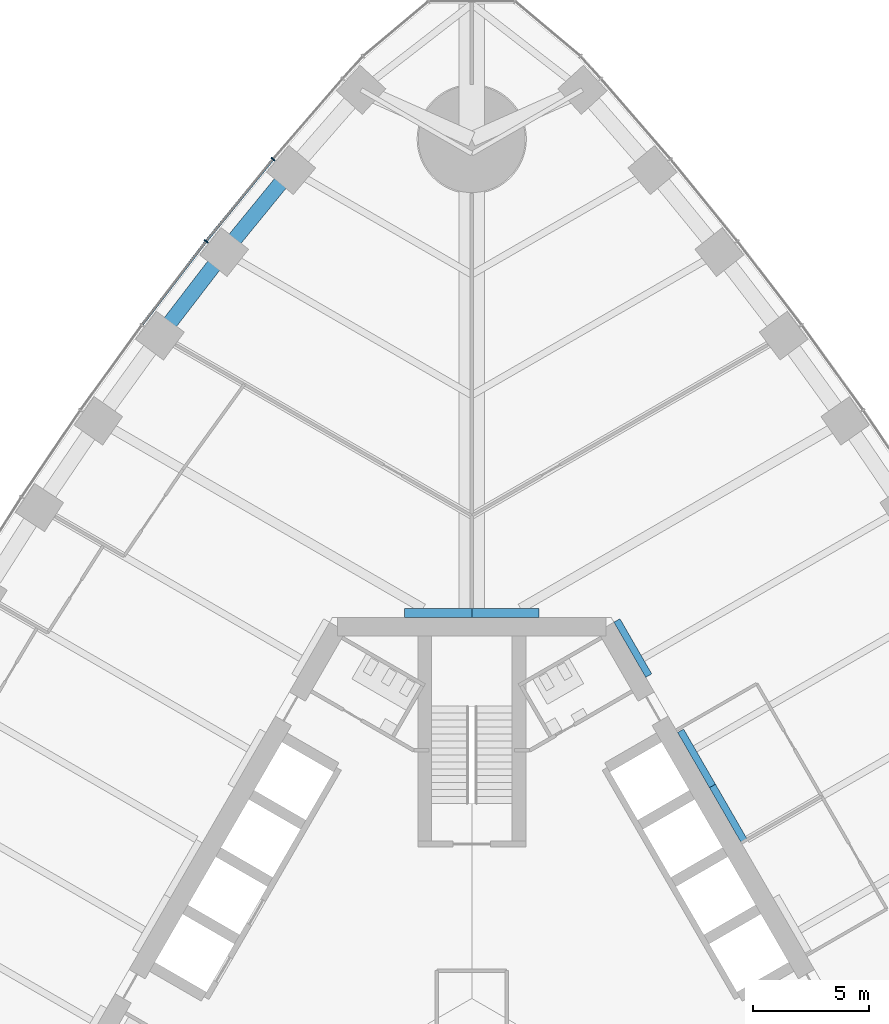
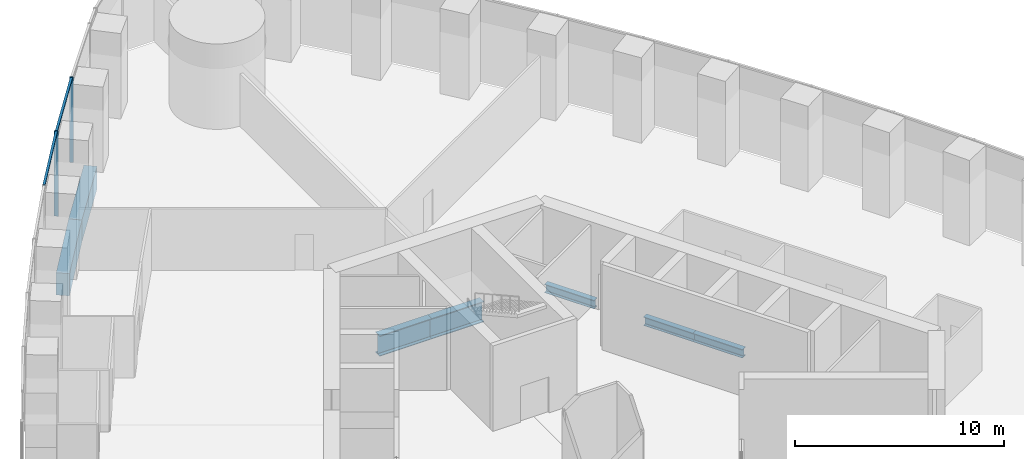
# One storey, part 8 of 21: 7 beams, 4 members, 1 element without a shape of its own.
"""IFC4 building model written with IfcOpenShell, lengths in metres."""

from ifc_helpers import new_model, si_unit, direction, frame, origin, origin_2d, place, context, subcontext, project, spatial, rectangle, i_section, extrude, material, material_profile, profile_set, type_object, element, aggregate, save


model = new_model("IFC4")

# Units and contexts
model_context = context("Model", 3, precision=1e-05, world=origin(), true_north=direction((0.0, 1.0)))
body_context = subcontext(model_context, "Body", "Model", "MODEL_VIEW")
ifc_project = project(units=[si_unit("LENGTHUNIT", "METRE"), si_unit("AREAUNIT", "SQUARE_METRE"), si_unit("VOLUMEUNIT", "CUBIC_METRE"), si_unit("PLANEANGLEUNIT", "RADIAN"), si_unit("MASSUNIT", "GRAM", prefix="KILO")], contexts=[model_context])

# Site, building, storey
site_placement = place(None, origin())
site = spatial("IfcSite", under=ifc_project, at=site_placement, CompositionType="ELEMENT")
building_placement = place(site_placement, origin())
building = spatial("IfcBuilding", under=site, at=building_placement, Name="Trefoil Bronze Tower", CompositionType="ELEMENT")
storey_placement = place(building_placement, frame((0.0, 0.0, 11.5)))
storey = spatial("IfcBuildingStorey", under=building, at=storey_placement, Name="L02", CompositionType="ELEMENT", Elevation=11.5)

# Curtain wall, members
ifc_material_1 = material(Name="Tinted solar-control glass", Category="glass")
curtain_wall_type = type_object("IfcCurtainWallType", Name="Bronze podium storefront curtain wall", PredefinedType="USERDEFINED", material=ifc_material_1)
curtain_wall_placement = place(storey_placement, origin())
curtain_wall = element("IfcCurtainWall", 1, at=curtain_wall_placement, inside=storey, type_object=curtain_wall_type, Name="CW-C L02 F3", ObjectType="CURTAIN WALL", PredefinedType="USERDEFINED")
ifc_material_2 = material(Name="Bronze-finish aluminium", Category="aluminium")
ifc_material_profile_1 = material_profile(ifc_material_2, rectangle(XDim=0.199951171875, YDim=0.06005859375, at=origin_2d()), Name="CW-C mullion")
ifc_profile_set_1 = profile_set([ifc_material_profile_1], Name="Bronze-finish aluminium")
member_type_1 = type_object("IfcMemberType", Name="Bronze podium storefront curtain wall mullion", PredefinedType="MULLION", material=ifc_profile_set_1)
member_1_placement = place(storey_placement, frame((-8.556640625, 36.13720703125, 0.0), z_axis=(0.0, 0.0, 1.0), x_axis=(0.765729101889, -0.643163231629, 0.0)))
member_1 = element("IfcMember", 2, at=member_1_placement, type_object=member_type_1, Name="CW-C L02 F3 mullion 3", PredefinedType="MULLION", context=body_context, shape_type="SweptSolid", body=[
    extrude(rectangle(XDim=0.199951171875, YDim=0.06005859375, at=origin_2d()), origin(), (0.0, 0.0, 1.0), 4.97998046875),
])
member_2_placement = place(storey_placement, frame((-11.4384765625, 32.6015625, 0.0), z_axis=(0.0, 0.0, 1.0), x_axis=(0.784304615744, -0.620375910011, 0.0)))
member_2 = element("IfcMember", 3, at=member_2_placement, type_object=member_type_1, Name="CW-C L02 F3 mullion 4", PredefinedType="MULLION", context=body_context, shape_type="SweptSolid", body=[
    extrude(rectangle(XDim=0.199951171875, YDim=0.06005859375, at=origin_2d()), origin(), (0.0, 0.0, 1.0), 4.97998046875),
])
ifc_material_3 = material(Name="Bronze-finish aluminium", Category="aluminium")
ifc_material_profile_2 = material_profile(ifc_material_3, rectangle(XDim=0.1201171875, YDim=0.10009765625, at=origin_2d()), Name="CW-C transom")
ifc_profile_set_2 = profile_set([ifc_material_profile_2], Name="Bronze-finish aluminium")
member_type_2 = type_object("IfcMemberType", Name="Bronze podium storefront curtain wall transom", PredefinedType="USERDEFINED", material=ifc_profile_set_2)
member_3_placement = place(storey_placement, frame((-8.576416015625, 36.11279296875, 4.929931640625), z_axis=(-0.631829981334, -0.77510700854, 0.0), x_axis=(0.77510700854, -0.631829981334, 0.0)))
member_3 = element("IfcMember", 4, at=member_3_placement, type_object=member_type_2, Name="CW-C L02 F3 transom 3", ObjectType="TRANSOM", PredefinedType="USERDEFINED", context=body_context, shape_type="SweptSolid", body=[
    extrude(rectangle(XDim=0.1201171875, YDim=0.10009765625, at=origin_2d()), origin(), (0.0, 0.0, 1.0), 4.49853515625),
])
member_4_placement = place(storey_placement, frame((-11.457763671875, 32.57666015625, 4.929931640625), z_axis=(-0.608806818405, -0.79331850972, 0.0), x_axis=(0.79331850972, -0.608806818405, 0.0)))
member_4 = element("IfcMember", 5, at=member_4_placement, type_object=member_type_2, Name="CW-C L02 F3 transom 4", ObjectType="TRANSOM", PredefinedType="USERDEFINED", context=body_context, shape_type="SweptSolid", body=[
    extrude(rectangle(XDim=0.1201171875, YDim=0.10009765625, at=origin_2d()), origin(), (0.0, 0.0, 1.0), 4.47900390625),
])
aggregate(curtain_wall, [member_1, member_2, member_3, member_4])

# Beams
ifc_material_4 = material(Name="Steel C355", Category="steel")
ifc_material_profile_3 = material_profile(ifc_material_4, i_section(OverallWidth=0.300048828125, OverallDepth=0.5, WebThickness=0.014404296875, FlangeThickness=0.028076171875, FilletRadius=0.027099609375, at=origin_2d()), Name="HEB 500")
ifc_profile_set_3 = profile_set([ifc_material_profile_3], Name="Steel C355")
beam_type_1 = type_object("IfcBeamType", Name="Core seat beam HEB 500", PredefinedType="BEAM", material=ifc_profile_set_3)
for number, where, z_axis, x_axis, name in (
    (6, (11.734619140625, 6.77490234375, -0.449951171875), (-0.499969057507, 0.866043267704, 0.0), (-0.866043267704, -0.499969057507, 0.0), "Core seat beam F2/+0 L02"),
    (7, (10.363525390625, 9.14990234375, -0.449951171875), (-0.500035825175, 0.866004719122, 0.0), (-0.866004719122, -0.500035825175, 0.0), "Core seat beam F2/+1 L02"),
    (8, (7.62109375, 13.89990234375, -0.449951171875), (-0.500035825175, 0.866004719122, 0.0), (-0.866004719122, -0.500035825175, 0.0), "Core seat beam F2/+2 L02"),
):
    element("IfcBeam", number, at=place(storey_placement, frame(where, z_axis=z_axis, x_axis=x_axis)), inside=storey, type_object=beam_type_1, Name=name, PredefinedType="BEAM", context=body_context, shape_type="SweptSolid", body=[
        extrude(i_section(OverallWidth=0.300048828125, OverallDepth=0.5, WebThickness=0.014404296875, FlangeThickness=0.028076171875, FilletRadius=0.027099609375, at=origin_2d()), origin(), (0.0, 0.0, 1.0), 2.742431640625),
    ])
ifc_material_5 = material(Name="Steel C355", Category="steel")
ifc_material_profile_4 = material_profile(ifc_material_5, i_section(OverallWidth=0.39990234375, OverallDepth=1.199951171875, WebThickness=0.02001953125, FlangeThickness=0.0400390625, FilletRadius=0.010009765625, at=origin_2d()), Name="WPG 1200")
ifc_profile_set_4 = profile_set([ifc_material_profile_4], Name="Steel C355")
beam_type_2 = type_object("IfcBeamType", Name="Core seat beam WPG 1200", PredefinedType="BEAM", material=ifc_profile_set_4)
for number, where, z_axis, x_axis, name in (
    (9, (2.88671875, 16.60009765625, -0.800048828125), (-1.0, 0.0, 0.0), (0.0, -1.0, 0.0), "Core seat beam F2/+3 L02"),
    (10, (0.0, 16.60009765625, -0.800048828125), (-1.0, 0.0, 0.0), (0.0, -1.0, 0.0), "Core seat beam F3/-3 L02"),
):
    element("IfcBeam", number, at=place(storey_placement, frame(where, z_axis=z_axis, x_axis=x_axis)), inside=storey, type_object=beam_type_2, Name=name, PredefinedType="BEAM", context=body_context, shape_type="SweptSolid", body=[
        extrude(i_section(OverallWidth=0.39990234375, OverallDepth=1.199951171875, WebThickness=0.02001953125, FlangeThickness=0.0400390625, FilletRadius=0.010009765625, at=origin_2d()), origin(), (0.0, 0.0, 1.0), 2.88671875),
    ])
ifc_material_6 = material(Name="Concrete B80", Category="concrete")
ifc_material_profile_5 = material_profile(ifc_material_6, rectangle(XDim=0.64990234375, YDim=1.300048828125, at=origin_2d()), Name="RC 650x1300")
ifc_profile_set_5 = profile_set([ifc_material_profile_5], Name="Concrete B80")
beam_type_3 = type_object("IfcBeamType", Name="Spandrel beam RC 650x1300", PredefinedType="SPANDREL", material=ifc_profile_set_5)
beam_1_placement = place(storey_placement, frame((-7.7763671875, 35.666748046875, -0.85009765625), z_axis=(-0.632467643363, -0.774586780225, 0.0), x_axis=(0.774586780225, -0.632467643363, 0.0)))
element("IfcBeam", 11, at=beam_1_placement, inside=storey, type_object=beam_type_3, Name="Spandrel F3.3 L02", PredefinedType="SPANDREL", context=body_context, shape_type="SweptSolid", body=[
    extrude(rectangle(XDim=0.64990234375, YDim=1.300048828125, at=origin_2d()), origin(), (0.0, 0.0, 1.0), 4.55908203125),
])
beam_2_placement = place(storey_placement, frame((-10.659912109375, 32.13525390625, -0.85009765625), z_axis=(-0.609338992146, -0.792909826305, 0.0), x_axis=(0.792909826305, -0.609338992146, 0.0)))
element("IfcBeam", 12, at=beam_2_placement, inside=storey, type_object=beam_type_3, Name="Spandrel F3.4 L02", PredefinedType="SPANDREL", context=body_context, shape_type="SweptSolid", body=[
    extrude(rectangle(XDim=0.64990234375, YDim=1.300048828125, at=origin_2d()), origin(), (0.0, 0.0, 1.0), 4.5390625),
])

save(model, "model.ifc")
